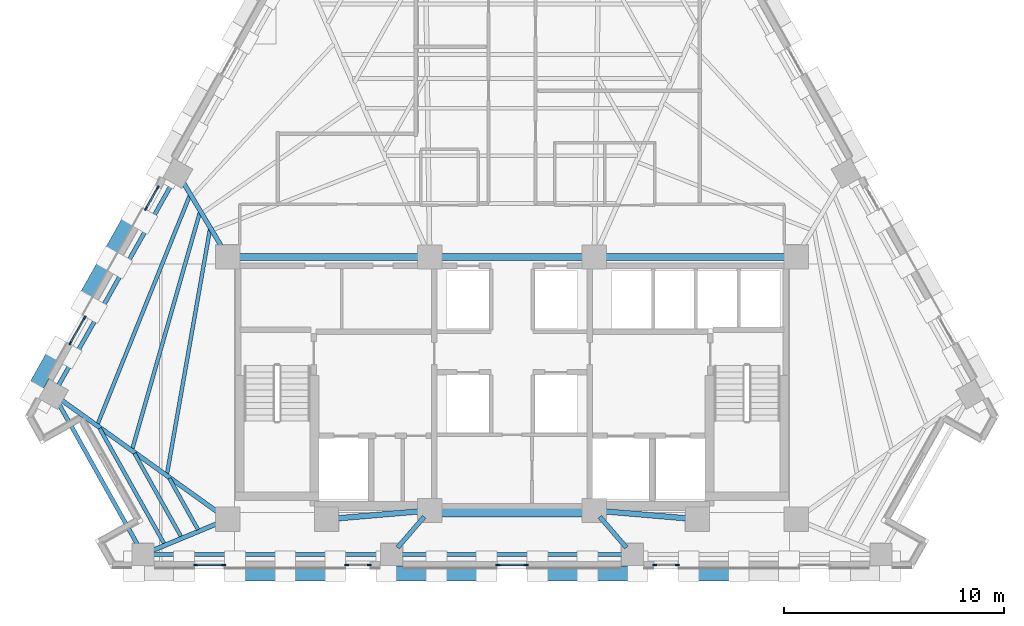
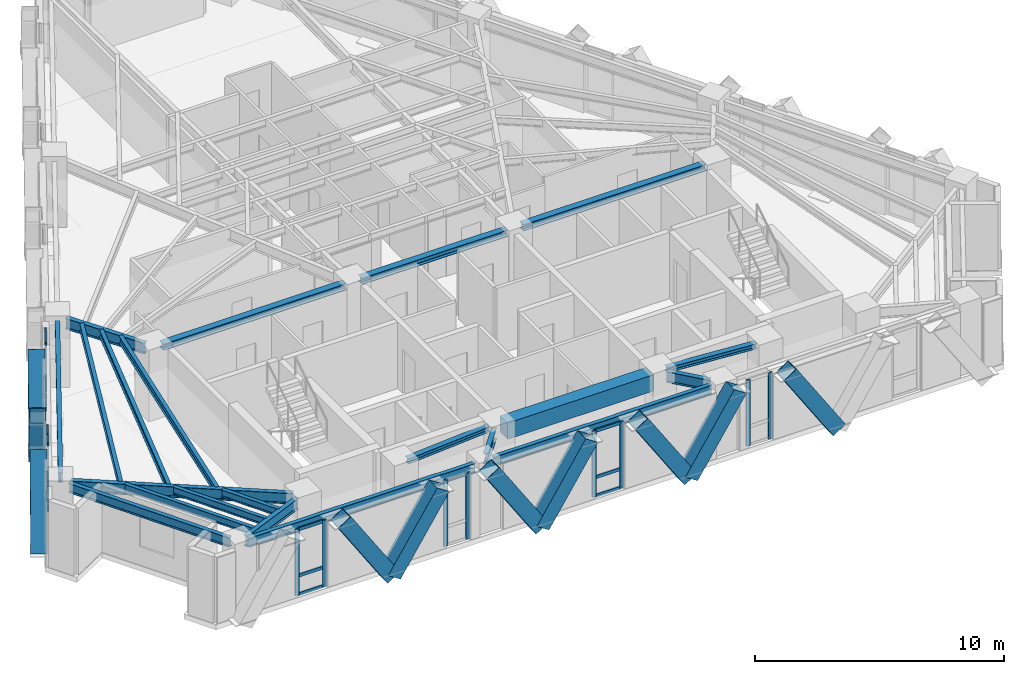
# One storey, part 2 of 13: 34 members, 21 beams, 6 elements without a shape of their own.
"""IFC4 building model written with IfcOpenShell, lengths in metres."""

import ifcopenshell
import ifcopenshell.guid

model = None  # the IFC model being written
_history = None  # IfcOwnerHistory: only IFC2X3 demands one
_inside = {}  # id of a spatial element -> (the spatial element, [elements in it])
_under = {}  # id of a project, library or spatial element -> (it, [spatial elements below it])
_declared = {}  # id of a project -> (the project, [libraries it declares])
_typed = {}  # id of a type object -> (the type object, [elements of that type])
_made_of = {}  # id of a material, layer set ... -> (it, [elements and type objects made of it])


def new_model(schema):
    """Start an empty IFC model of exactly this schema.

    Asked for "IFC4X3", IfcOpenShell would pick the latest addendum, in which some entities
    have other attributes; the version numbers below select the first issue.
    IFC2X3 requires an IfcOwnerHistory on every rooted entity: one is made here for all.
    """
    global model, _history
    if schema == "IFC4X3":
        model = ifcopenshell.file(schema_version=(4, 3, 0, 0))
    else:
        model = ifcopenshell.file(schema=schema)
    _inside.clear()
    _under.clear()
    _declared.clear()
    _typed.clear()
    _made_of.clear()
    _history = None
    if model.schema == "IFC2X3":
        org = make("IfcOrganization", Name="unknown")
        user = make(
            "IfcPersonAndOrganization",
            ThePerson=make("IfcPerson", FamilyName="unknown"),
            TheOrganization=org,
        )
        app = make(
            "IfcApplication",
            ApplicationDeveloper=org,
            Version="unknown",
            ApplicationFullName="unknown",
            ApplicationIdentifier="unknown",
        )
        _history = make(
            "IfcOwnerHistory",
            OwningUser=user,
            OwningApplication=app,
            ChangeAction="ADDED",
            CreationDate=0,
        )
    return model


def make(cls, **values):
    """One entity of the class cls with the attributes given. An attribute that is None is left unset."""
    return model.create_entity(
        cls, **{name: value for name, value in values.items() if value is not None}
    )


def rooted(cls, **values):
    """An entity with a GlobalId (a new one), such as an element, a storey or a relation."""
    return make(cls, GlobalId=ifcopenshell.guid.new(), OwnerHistory=_history, **values)


def si_unit(unit_type, name, prefix=None):
    """IfcSIUnit, for example si_unit("LENGTHUNIT", "METRE", prefix="MILLI")."""
    return make("IfcSIUnit", UnitType=unit_type, Prefix=prefix, Name=name)


def assignment(units):
    """IfcUnitAssignment: the units of a project."""
    return None if units is None else make("IfcUnitAssignment", Units=units)


def point(xyz):
    """IfcCartesianPoint."""
    return None if xyz is None else make("IfcCartesianPoint", Coordinates=xyz)


def direction(xyz):
    """IfcDirection."""
    return None if xyz is None else make("IfcDirection", DirectionRatios=xyz)


def frame(location, z_axis=None, x_axis=None):
    """IfcAxis2Placement3D, a coordinate frame: its origin and axes. An axis left out is left unset."""
    return make(
        "IfcAxis2Placement3D",
        Location=point(location),
        Axis=direction(z_axis),
        RefDirection=direction(x_axis),
    )


def frame_2d(location, x_axis=None):
    """IfcAxis2Placement2D, a coordinate frame in the plane: its origin and x axis."""
    return make(
        "IfcAxis2Placement2D", Location=point(location), RefDirection=direction(x_axis)
    )


def origin():
    """The frame at (0, 0, 0) with its axes left unset."""
    return frame((0.0, 0.0, 0.0))


def origin_2d():
    """The frame at (0, 0) in the plane with its x axis left unset."""
    return frame_2d((0.0, 0.0))


def place(relative_to, where):
    """IfcLocalPlacement: puts the frame where relative to a parent placement (None: the world)."""
    return make(
        "IfcLocalPlacement", PlacementRelTo=relative_to, RelativePlacement=where
    )


def context(
    kind, dimensions, precision=None, world=None, true_north=None, identifier=None
):
    """IfcGeometricRepresentationContext, for example the 3D "Model" context."""
    return make(
        "IfcGeometricRepresentationContext",
        ContextIdentifier=identifier,
        ContextType=kind,
        CoordinateSpaceDimension=dimensions,
        Precision=precision,
        WorldCoordinateSystem=world,
        TrueNorth=true_north,
    )


def subcontext(parent, identifier, kind, view, scale=None):
    """IfcGeometricRepresentationSubContext, for example "Body" below "Model"."""
    return make(
        "IfcGeometricRepresentationSubContext",
        ContextIdentifier=identifier,
        ContextType=kind,
        ParentContext=parent,
        TargetScale=scale,
        TargetView=view,
    )


def project(units=None, contexts=None):
    """IfcProject with its units and contexts."""
    return rooted(
        "IfcProject",
        Name="project",
        RepresentationContexts=contexts,
        UnitsInContext=assignment(units),
    )


def spatial(cls, under=None, at=None, **own):
    """A site, building, storey or space (cls), placed at a placement, below another one or the project."""
    s = rooted(cls, ObjectPlacement=at, **own)
    if under is not None:
        _under.setdefault(under.id(), (under, []))[1].append(s)
    return s


def profile(cls, at=None, kind="AREA", **sizes):
    """A parametric profile (cls). Its sizes go by their IFC names, for example OverallWidth=200.0."""
    return make(cls, ProfileType=kind, Position=at, **sizes)


def rectangle(**sizes):
    """IfcRectangleProfileDef."""
    return profile("IfcRectangleProfileDef", **sizes)


def hollow_rectangle(**sizes):
    """IfcRectangleHollowProfileDef."""
    return profile("IfcRectangleHollowProfileDef", **sizes)


def i_section(**sizes):
    """IfcIShapeProfileDef."""
    return profile("IfcIShapeProfileDef", **sizes)


def extrude(swept, where, along, depth):
    """IfcExtrudedAreaSolid: the profile swept, set in the frame where, extruded along a direction by depth."""
    return make(
        "IfcExtrudedAreaSolid",
        SweptArea=swept,
        Position=where,
        ExtrudedDirection=direction(along),
        Depth=depth,
    )


def shape(context_of_items, identifier, shape_type, items):
    """IfcShapeRepresentation: the items that make up one representation, for example the "Body"."""
    return make(
        "IfcShapeRepresentation",
        ContextOfItems=context_of_items,
        RepresentationIdentifier=identifier,
        RepresentationType=shape_type,
        Items=items,
    )


def material(Name=None, Category=None):
    """IfcMaterial."""
    return make("IfcMaterial", Name=Name, Category=Category)


def material_profile(
    of_material, cross_section, Name=None, Category=None, Priority=None
):
    """IfcMaterialProfile: a cross section and its material."""
    return make(
        "IfcMaterialProfile",
        Name=Name,
        Material=of_material,
        Profile=cross_section,
        Priority=Priority,
        Category=Category,
    )


def profile_set(profiles, Name=None, composite=None):
    """IfcMaterialProfileSet."""
    return make(
        "IfcMaterialProfileSet",
        Name=Name,
        MaterialProfiles=profiles,
        CompositeProfile=composite,
    )


def made_of(thing, what):
    """Note that an element or type object is made of a material, layer set ...; save() writes the relation."""
    if what is not None:
        _made_of.setdefault(what.id(), (what, []))[1].append(thing)
    return thing


def type_object(cls, material=None, **own):
    """A type object (cls), such as IfcWallType, which elements share."""
    return made_of(rooted(cls, **own), material)


def element(
    cls,
    number,
    at=None,
    inside=None,
    cuts=None,
    type_object=None,
    material=None,
    context=None,
    identifier="Body",
    shape_type=None,
    held_by="IfcProductDefinitionShape",
    body=None,
    shapes=None,
    **own,
):
    """One element of the class cls, such as IfcWall. Its Tag is "e" and its number.

    at: its placement. inside: the storey or other place that contains it. cuts: it is an
    opening in that element (IfcRelVoidsElement). A single representation is given by context,
    identifier, shape_type and body (its items); several are given by shapes. held_by: the class
    of the entity that holds the representations. save() writes the other relations.
    """
    e = rooted(cls, Tag="e%d" % number, ObjectPlacement=at, **own)
    if body is not None:
        shapes = [shape(context, identifier, shape_type, body)]
    if shapes is not None:
        e.Representation = make(held_by, Representations=shapes)
    if inside is not None:
        _inside.setdefault(inside.id(), (inside, []))[1].append(e)
    if cuts is not None:
        rooted(
            "IfcRelVoidsElement", RelatingBuildingElement=cuts, RelatedOpeningElement=e
        )
    if type_object is not None:
        _typed.setdefault(type_object.id(), (type_object, []))[1].append(e)
    return made_of(e, material)


def aggregate(whole, parts):
    """IfcRelAggregates: a whole, such as a stair, and the parts it consists of."""
    return rooted("IfcRelAggregates", RelatingObject=whole, RelatedObjects=parts)


def save(model, path):
    """Write the relations noted so far, then the file.

    IfcRelAggregates (storeys below a building ...), IfcRelContainedInSpatialStructure (elements
    in a storey), IfcRelDefinesByType, IfcRelAssociatesMaterial and IfcRelDeclares: one each for
    every whole, place, type object, material and project.
    """
    for whole, parts in _under.values():
        aggregate(whole, parts)
    for where, things in _inside.values():
        rooted(
            "IfcRelContainedInSpatialStructure",
            RelatedElements=things,
            RelatingStructure=where,
        )
    for kind, things in _typed.values():
        rooted("IfcRelDefinesByType", RelatedObjects=things, RelatingType=kind)
    for what, things in _made_of.values():
        rooted("IfcRelAssociatesMaterial", RelatedObjects=things, RelatingMaterial=what)
    for by, libraries in _declared.values():
        rooted("IfcRelDeclares", RelatingContext=by, RelatedDefinitions=libraries)
    model.write(path)


model = new_model("IFC4")

# Units and contexts
model_context = context("Model", 3, precision=1e-05, world=origin(), true_north=direction((0.0, 1.0)))
body_context = subcontext(model_context, "Body", "Model", "MODEL_VIEW")
ifc_project = project(units=[si_unit("LENGTHUNIT", "METRE"), si_unit("AREAUNIT", "SQUARE_METRE"), si_unit("VOLUMEUNIT", "CUBIC_METRE"), si_unit("PLANEANGLEUNIT", "RADIAN"), si_unit("MASSUNIT", "GRAM", prefix="KILO")], contexts=[model_context])

# Site, building, storey
site_placement = place(None, origin())
site = spatial("IfcSite", under=ifc_project, at=site_placement, CompositionType="ELEMENT")
building_placement = place(site_placement, origin())
building = spatial("IfcBuilding", under=site, at=building_placement, Name="Quenlor Broadcast Tower", CompositionType="ELEMENT")
storey_placement = place(building_placement, frame((0.0, 0.0, 151.0)))
storey = spatial("IfcBuildingStorey", under=building, at=storey_placement, Name="L41", CompositionType="ELEMENT", Elevation=151.0)

# Curtain wall, members
ifc_material_1 = material(Name="Architectural Terracotta and Low-E Glazing", Category="masonry")
curtain_wall_type = type_object("IfcCurtainWallType", Name="Unitised Terracotta Curtain Wall System Z3", PredefinedType="NOTDEFINED", material=ifc_material_1)
curtain_wall_1_placement = place(storey_placement, origin())
curtain_wall_1 = element("IfcCurtainWall", 1, at=curtain_wall_1_placement, inside=storey, type_object=curtain_wall_type, Name="L41 Curtain Wall CW3 (L41-SA-G2)", PredefinedType="NOTDEFINED")
ifc_material_2 = material(Name="Aluminium 6063-T6", Category="aluminium")
ifc_material_profile_1 = material_profile(ifc_material_2, rectangle(XDim=0.070068359375, YDim=0.18994140625, at=origin_2d()))
ifc_profile_set_1 = profile_set([ifc_material_profile_1], Name="Aluminium 6063-T6 MULL70x190")
member_type_1 = type_object("IfcMemberType", Name="CW3 Aluminium Mullion MULL_CW3", PredefinedType="MULLION", material=ifc_profile_set_1)
member_1_placement = place(storey_placement, frame((7.52197265625, -18.824951171875, 0.0), z_axis=(0.0, 0.0, 1.0), x_axis=(0.0, -1.0, 0.0)))
member_1 = element("IfcMember", 2, at=member_1_placement, type_object=member_type_1, Name="CW3 mullion 1", PredefinedType="MULLION", context=body_context, shape_type="SweptSolid", body=[
    extrude(rectangle(XDim=0.070068359375, YDim=0.18994140625, at=origin_2d()), origin(), (0.0, 0.0, 1.0), 3.25),
])
member_2_placement = place(storey_placement, frame((6.5009765625, -18.824951171875, 0.0), z_axis=(0.0, 0.0, 1.0), x_axis=(0.0, -1.0, 0.0)))
member_2 = element("IfcMember", 3, at=member_2_placement, type_object=member_type_1, Name="CW3 mullion 2", PredefinedType="MULLION", context=body_context, shape_type="SweptSolid", body=[
    extrude(rectangle(XDim=0.070068359375, YDim=0.18994140625, at=origin_2d()), origin(), (0.0, 0.0, 1.0), 3.25),
])
aggregate(curtain_wall_1, [member_1, member_2])

curtain_wall_2_placement = place(storey_placement, origin())
curtain_wall_2 = element("IfcCurtainWall", 4, at=curtain_wall_2_placement, inside=storey, type_object=curtain_wall_type, Name="L41 Curtain Wall CW3 (L41-SC-G1)", PredefinedType="NOTDEFINED")
member_3_placement = place(storey_placement, frame((-6.5009765625, -18.824951171875, 0.0), z_axis=(0.0, 0.0, 1.0), x_axis=(0.0, -1.0, 0.0)))
member_3 = element("IfcMember", 5, at=member_3_placement, type_object=member_type_1, Name="CW3 mullion 1", PredefinedType="MULLION", context=body_context, shape_type="SweptSolid", body=[
    extrude(rectangle(XDim=0.070068359375, YDim=0.18994140625, at=origin_2d()), origin(), (0.0, 0.0, 1.0), 3.25),
])
member_4_placement = place(storey_placement, frame((-7.52197265625, -18.824951171875, 0.0), z_axis=(0.0, 0.0, 1.0), x_axis=(0.0, -1.0, 0.0)))
member_4 = element("IfcMember", 6, at=member_4_placement, type_object=member_type_1, Name="CW3 mullion 2", PredefinedType="MULLION", context=body_context, shape_type="SweptSolid", body=[
    extrude(rectangle(XDim=0.070068359375, YDim=0.18994140625, at=origin_2d()), origin(), (0.0, 0.0, 1.0), 3.25),
])
aggregate(curtain_wall_2, [member_3, member_4])

curtain_wall_3_placement = place(storey_placement, origin())
curtain_wall_3 = element("IfcCurtainWall", 7, at=curtain_wall_3_placement, inside=storey, type_object=curtain_wall_type, Name="L41 Curtain Wall CW3 (L41-SC-G2)", PredefinedType="NOTDEFINED")
member_5_placement = place(storey_placement, frame((-13.14208984375, -18.824951171875, 0.0), z_axis=(0.0, 0.0, 1.0), x_axis=(0.0, -1.0, 0.0)))
member_5 = element("IfcMember", 8, at=member_5_placement, type_object=member_type_1, Name="CW3 mullion 1", PredefinedType="MULLION", context=body_context, shape_type="SweptSolid", body=[
    extrude(rectangle(XDim=0.070068359375, YDim=0.18994140625, at=origin_2d()), origin(), (0.0, 0.0, 1.0), 3.25),
])
member_6_placement = place(storey_placement, frame((-14.409912109375, -18.824951171875, 0.0), z_axis=(0.0, 0.0, 1.0), x_axis=(0.0, -1.0, 0.0)))
member_6 = element("IfcMember", 9, at=member_6_placement, type_object=member_type_1, Name="CW3 mullion 2", PredefinedType="MULLION", context=body_context, shape_type="SweptSolid", body=[
    extrude(rectangle(XDim=0.070068359375, YDim=0.18994140625, at=origin_2d()), origin(), (0.0, 0.0, 1.0), 3.25),
])

curtain_wall_4_placement = place(storey_placement, origin())
curtain_wall_4 = element("IfcCurtainWall", 10, at=curtain_wall_4_placement, inside=storey, type_object=curtain_wall_type, Name="L41 Curtain Wall CW3 (L41-S-G1)", PredefinedType="NOTDEFINED")
member_7_placement = place(storey_placement, frame((0.634033203125, -18.824951171875, 0.0), z_axis=(0.0, 0.0, 1.0), x_axis=(0.0, -1.0, 0.0)))
member_7 = element("IfcMember", 11, at=member_7_placement, type_object=member_type_1, Name="CW3 mullion 1", PredefinedType="MULLION", context=body_context, shape_type="SweptSolid", body=[
    extrude(rectangle(XDim=0.070068359375, YDim=0.18994140625, at=origin_2d()), origin(), (0.0, 0.0, 1.0), 3.25),
])
member_8_placement = place(storey_placement, frame((-0.634033203125, -18.824951171875, 0.0), z_axis=(0.0, 0.0, 1.0), x_axis=(0.0, -1.0, 0.0)))
member_8 = element("IfcMember", 12, at=member_8_placement, type_object=member_type_1, Name="CW3 mullion 2", PredefinedType="MULLION", context=body_context, shape_type="SweptSolid", body=[
    extrude(rectangle(XDim=0.070068359375, YDim=0.18994140625, at=origin_2d()), origin(), (0.0, 0.0, 1.0), 3.25),
])

curtain_wall_5_placement = place(storey_placement, origin())
curtain_wall_5 = element("IfcCurtainWall", 13, at=curtain_wall_5_placement, inside=storey, type_object=curtain_wall_type, Name="L41 Curtain Wall CW3 (L41-NWA-G1)", PredefinedType="NOTDEFINED")
member_9_placement = place(storey_placement, frame((-20.1171875, -8.720703125, 0.0), z_axis=(0.0, 0.0, 1.0), x_axis=(-0.871575537123, 0.490261239636, 0.0)))
member_9 = element("IfcMember", 14, at=member_9_placement, type_object=member_type_1, Name="CW3 mullion 1", PredefinedType="MULLION", context=body_context, shape_type="SweptSolid", body=[
    extrude(rectangle(XDim=0.070068359375, YDim=0.18994140625, at=origin_2d()), origin(), (0.0, 0.0, 1.0), 3.25),
])
member_10_placement = place(storey_placement, frame((-19.47021484375, -7.570556640625, 0.0), z_axis=(0.0, 0.0, 1.0), x_axis=(-0.871575537123, 0.490261239636, 0.0)))
member_10 = element("IfcMember", 15, at=member_10_placement, type_object=member_type_1, Name="CW3 mullion 2", PredefinedType="MULLION", context=body_context, shape_type="SweptSolid", body=[
    extrude(rectangle(XDim=0.070068359375, YDim=0.18994140625, at=origin_2d()), origin(), (0.0, 0.0, 1.0), 3.25),
])

curtain_wall_6_placement = place(storey_placement, origin())
curtain_wall_6 = element("IfcCurtainWall", 16, at=curtain_wall_6_placement, inside=storey, type_object=curtain_wall_type, Name="L41 Curtain Wall CW3 (L41-NWA-G2)", PredefinedType="NOTDEFINED")
member_11_placement = place(storey_placement, frame((-16.6689453125, -2.5908203125, 0.0), z_axis=(0.0, 0.0, 1.0), x_axis=(-0.871580169247, 0.490253004657, 0.0)))
member_11 = element("IfcMember", 17, at=member_11_placement, type_object=member_type_1, Name="CW3 mullion 1", PredefinedType="MULLION", context=body_context, shape_type="SweptSolid", body=[
    extrude(rectangle(XDim=0.070068359375, YDim=0.18994140625, at=origin_2d()), origin(), (0.0, 0.0, 1.0), 3.25),
])
member_12_placement = place(storey_placement, frame((-16.137939453125, -1.646728515625, 0.0), z_axis=(0.0, 0.0, 1.0), x_axis=(-0.871580169247, 0.490253004657, 0.0)))
member_12 = element("IfcMember", 18, at=member_12_placement, type_object=member_type_1, Name="CW3 mullion 2", PredefinedType="MULLION", context=body_context, shape_type="SweptSolid", body=[
    extrude(rectangle(XDim=0.070068359375, YDim=0.18994140625, at=origin_2d()), origin(), (0.0, 0.0, 1.0), 3.25),
])

# Member
ifc_material_3 = material(Name="Aluminium 6063-T6", Category="aluminium")
ifc_material_profile_2 = material_profile(ifc_material_3, rectangle(XDim=0.070068359375, YDim=0.155029296875, at=origin_2d()))
ifc_profile_set_2 = profile_set([ifc_material_profile_2], Name="Aluminium 6063-T6 TRAN70x155")
member_type_2 = type_object("IfcMemberType", Name="CW3 Aluminium Transom TRAN_CW3", PredefinedType="USERDEFINED", material=ifc_profile_set_2)
member_13_placement = place(storey_placement, frame((-13.177001953125, -18.824951171875, 0.034912109375), z_axis=(-1.0, 0.0, 0.0), x_axis=(0.0, -1.0, 0.0)))
member_13 = element("IfcMember", 19, at=member_13_placement, type_object=member_type_2, Name="CW3 transom 1.1", ObjectType="TRANSOM", PredefinedType="USERDEFINED", context=body_context, shape_type="SweptSolid", body=[
    extrude(rectangle(XDim=0.070068359375, YDim=0.155029296875, at=origin_2d()), origin(), (0.0, 0.0, 1.0), 1.197998046875),
])

member_14_placement = place(storey_placement, frame((-13.177001953125, -18.824951171875, 0.949951171875), z_axis=(-1.0, 0.0, 0.0), x_axis=(0.0, -1.0, 0.0)))
member_14 = element("IfcMember", 20, at=member_14_placement, type_object=member_type_2, Name="CW3 transom 1.2", ObjectType="TRANSOM", PredefinedType="USERDEFINED", context=body_context, shape_type="SweptSolid", body=[
    extrude(rectangle(XDim=0.070068359375, YDim=0.155029296875, at=origin_2d()), origin(), (0.0, 0.0, 1.0), 1.197998046875),
])

member_15_placement = place(storey_placement, frame((-13.177001953125, -18.824951171875, 3.215087890625), z_axis=(-1.0, 0.0, 0.0), x_axis=(0.0, -1.0, 0.0)))
member_15 = element("IfcMember", 21, at=member_15_placement, type_object=member_type_2, Name="CW3 transom 1.3", ObjectType="TRANSOM", PredefinedType="USERDEFINED", context=body_context, shape_type="SweptSolid", body=[
    extrude(rectangle(XDim=0.070068359375, YDim=0.155029296875, at=origin_2d()), origin(), (0.0, 0.0, 1.0), 1.197998046875),
])

aggregate(curtain_wall_3, [member_5, member_6, member_13, member_14, member_15])

member_16_placement = place(storey_placement, frame((0.59912109375, -18.824951171875, 0.034912109375), z_axis=(-1.0, 0.0, 0.0), x_axis=(0.0, -1.0, 0.0)))
member_16 = element("IfcMember", 22, at=member_16_placement, type_object=member_type_2, Name="CW3 transom 1.1", ObjectType="TRANSOM", PredefinedType="USERDEFINED", context=body_context, shape_type="SweptSolid", body=[
    extrude(rectangle(XDim=0.070068359375, YDim=0.155029296875, at=origin_2d()), origin(), (0.0, 0.0, 1.0), 1.1982421875),
])

member_17_placement = place(storey_placement, frame((0.59912109375, -18.824951171875, 0.949951171875), z_axis=(-1.0, 0.0, 0.0), x_axis=(0.0, -1.0, 0.0)))
member_17 = element("IfcMember", 23, at=member_17_placement, type_object=member_type_2, Name="CW3 transom 1.2", ObjectType="TRANSOM", PredefinedType="USERDEFINED", context=body_context, shape_type="SweptSolid", body=[
    extrude(rectangle(XDim=0.070068359375, YDim=0.155029296875, at=origin_2d()), origin(), (0.0, 0.0, 1.0), 1.1982421875),
])

member_18_placement = place(storey_placement, frame((0.59912109375, -18.824951171875, 3.215087890625), z_axis=(-1.0, 0.0, 0.0), x_axis=(0.0, -1.0, 0.0)))
member_18 = element("IfcMember", 24, at=member_18_placement, type_object=member_type_2, Name="CW3 transom 1.3", ObjectType="TRANSOM", PredefinedType="USERDEFINED", context=body_context, shape_type="SweptSolid", body=[
    extrude(rectangle(XDim=0.070068359375, YDim=0.155029296875, at=origin_2d()), origin(), (0.0, 0.0, 1.0), 1.1982421875),
])

aggregate(curtain_wall_4, [member_7, member_8, member_16, member_17, member_18])

member_19_placement = place(storey_placement, frame((-20.10009765625, -8.690185546875, 0.034912109375), z_axis=(0.490363266059, 0.871518139398, 0.0), x_axis=(-0.871518139398, 0.490363266059, 0.0)))
member_19 = element("IfcMember", 25, at=member_19_placement, type_object=member_type_2, Name="CW3 transom 1.1", ObjectType="TRANSOM", PredefinedType="USERDEFINED", context=body_context, shape_type="SweptSolid", body=[
    extrude(rectangle(XDim=0.070068359375, YDim=0.155029296875, at=origin_2d()), origin(), (0.0, 0.0, 1.0), 1.249755859375),
])

member_20_placement = place(storey_placement, frame((-20.10009765625, -8.690185546875, 0.949951171875), z_axis=(0.490363266059, 0.871518139398, 0.0), x_axis=(-0.871518139398, 0.490363266059, 0.0)))
member_20 = element("IfcMember", 26, at=member_20_placement, type_object=member_type_2, Name="CW3 transom 1.2", ObjectType="TRANSOM", PredefinedType="USERDEFINED", context=body_context, shape_type="SweptSolid", body=[
    extrude(rectangle(XDim=0.070068359375, YDim=0.155029296875, at=origin_2d()), origin(), (0.0, 0.0, 1.0), 1.249755859375),
])

member_21_placement = place(storey_placement, frame((-20.10009765625, -8.690185546875, 3.215087890625), z_axis=(0.490363266059, 0.871518139398, 0.0), x_axis=(-0.871518139398, 0.490363266059, 0.0)))
member_21 = element("IfcMember", 27, at=member_21_placement, type_object=member_type_2, Name="CW3 transom 1.3", ObjectType="TRANSOM", PredefinedType="USERDEFINED", context=body_context, shape_type="SweptSolid", body=[
    extrude(rectangle(XDim=0.070068359375, YDim=0.155029296875, at=origin_2d()), origin(), (0.0, 0.0, 1.0), 1.249755859375),
])

aggregate(curtain_wall_5, [member_9, member_10, member_19, member_20, member_21])

member_22_placement = place(storey_placement, frame((-16.65185546875, -2.560302734375, 0.034912109375), z_axis=(0.49015826449, 0.871633452635, 0.0), x_axis=(-0.871633452635, 0.49015826449, 0.0)))
member_22 = element("IfcMember", 28, at=member_22_placement, type_object=member_type_2, Name="CW3 transom 1.1", ObjectType="TRANSOM", PredefinedType="USERDEFINED", context=body_context, shape_type="SweptSolid", body=[
    extrude(rectangle(XDim=0.070068359375, YDim=0.155029296875, at=origin_2d()), origin(), (0.0, 0.0, 1.0), 1.01318359375),
])

member_23_placement = place(storey_placement, frame((-16.65185546875, -2.560302734375, 0.949951171875), z_axis=(0.49015826449, 0.871633452635, 0.0), x_axis=(-0.871633452635, 0.49015826449, 0.0)))
member_23 = element("IfcMember", 29, at=member_23_placement, type_object=member_type_2, Name="CW3 transom 1.2", ObjectType="TRANSOM", PredefinedType="USERDEFINED", context=body_context, shape_type="SweptSolid", body=[
    extrude(rectangle(XDim=0.070068359375, YDim=0.155029296875, at=origin_2d()), origin(), (0.0, 0.0, 1.0), 1.01318359375),
])

member_24_placement = place(storey_placement, frame((-16.65185546875, -2.560302734375, 3.215087890625), z_axis=(0.49015826449, 0.871633452635, 0.0), x_axis=(-0.871633452635, 0.49015826449, 0.0)))
member_24 = element("IfcMember", 30, at=member_24_placement, type_object=member_type_2, Name="CW3 transom 1.3", ObjectType="TRANSOM", PredefinedType="USERDEFINED", context=body_context, shape_type="SweptSolid", body=[
    extrude(rectangle(XDim=0.070068359375, YDim=0.155029296875, at=origin_2d()), origin(), (0.0, 0.0, 1.0), 1.01318359375),
])

aggregate(curtain_wall_6, [member_11, member_12, member_22, member_23, member_24])

# Beams
ifc_material_4 = material(Name="Concrete C50/60", Category="concrete")
ifc_material_profile_3 = material_profile(ifc_material_4, rectangle(XDim=0.60009765625, YDim=0.800048828125, at=origin_2d()))
ifc_profile_set_3 = profile_set([ifc_material_profile_3], Name="Concrete C50/60 RCB600x800")
beam_type_1 = type_object("IfcBeamType", Name="Core Coupling Beam Concrete C50/60 600x800", PredefinedType="BEAM", material=ifc_profile_set_3)
beam_1_placement = place(storey_placement, frame((-3.389892578125, -16.35009765625, 2.85009765625), z_axis=(1.0, 0.0, 0.0), x_axis=(0.0, 1.0, 0.0)))
element("IfcBeam", 31, at=beam_1_placement, inside=storey, type_object=beam_type_1, Name="L41 Core Coupling Beam 6", PredefinedType="BEAM", context=body_context, shape_type="SweptSolid", body=[
    extrude(rectangle(XDim=0.60009765625, YDim=0.800048828125, at=origin_2d()), origin(), (0.0, 0.0, 1.0), 6.77978515625),
])
ifc_material_5 = material(Name="Steel S355", Category="steel")
ifc_material_profile_4 = material_profile(ifc_material_5, i_section(OverallWidth=0.304931640625, OverallDepth=0.30810546875, WebThickness=0.010009765625, FlangeThickness=0.015380859375, FilletRadius=0.0166015625, at=origin_2d()))
ifc_profile_set_4 = profile_set([ifc_material_profile_4], Name="Steel S355 310UC96.8")
beam_type_2 = type_object("IfcBeamType", Name="Core Header Beam Steel S355 310UC96.8", PredefinedType="BEAM", material=ifc_profile_set_4)
beam_2_placement = place(storey_placement, frame((-3.389892578125, -4.800048828125, 3.095947265625), z_axis=(1.0, 0.0, 0.0), x_axis=(0.0, 1.0, 0.0)))
element("IfcBeam", 32, at=beam_2_placement, inside=storey, type_object=beam_type_2, Name="L41 Core Header Beam 2", PredefinedType="BEAM", context=body_context, shape_type="SweptSolid", body=[
    extrude(i_section(OverallWidth=0.304931640625, OverallDepth=0.30810546875, WebThickness=0.010009765625, FlangeThickness=0.015380859375, FilletRadius=0.0166015625, at=origin_2d()), origin(), (0.0, 0.0, 1.0), 6.77978515625),
])
ifc_material_6 = material(Name="Steel S355", Category="steel")
ifc_material_profile_5 = material_profile(ifc_material_6, i_section(OverallWidth=0.25390625, OverallDepth=0.25390625, WebThickness=0.008544921875, FlangeThickness=0.01416015625, FilletRadius=0.013916015625, at=origin_2d()))
ifc_profile_set_5 = profile_set([ifc_material_profile_5], Name="Steel S355 250UC72.9")
beam_type_3 = type_object("IfcBeamType", Name="Core Opening Lintel Beam Steel S355 250UC72.9", PredefinedType="LINTEL", material=ifc_profile_set_5)
for number, where, z_axis, x_axis, name in (
    (33, (-8.09130859375, -16.719482421875, 3.123046875), (0.996399763903, 0.084779186679, 0.0), (-0.084779186679, 0.996399763903, 0.0), "L41 Core Opening Lintel Beam 4"),
    (34, (4.108642578125, -16.380615234375, 3.123046875), (0.996399763903, -0.084779186679, 0.0), (0.084779186679, 0.996399763903, 0.0), "L41 Core Opening Lintel Beam 5"),
):
    element("IfcBeam", number, at=place(storey_placement, frame(where, z_axis=z_axis, x_axis=x_axis)), inside=storey, type_object=beam_type_3, Name=name, PredefinedType="LINTEL", context=body_context, shape_type="SweptSolid", body=[
        extrude(i_section(OverallWidth=0.25390625, OverallDepth=0.25390625, WebThickness=0.008544921875, FlangeThickness=0.01416015625, FilletRadius=0.013916015625, at=origin_2d()), origin(), (0.0, 0.0, 1.0), 3.9970703125),
    ])
ifc_material_7 = material(Name="Steel S355", Category="steel")
ifc_material_profile_6 = material_profile(ifc_material_7, i_section(OverallWidth=0.306884765625, OverallDepth=0.314697265625, WebThickness=0.011962890625, FlangeThickness=0.018798828125, FilletRadius=0.0166015625, at=origin_2d()))
ifc_profile_set_6 = profile_set([ifc_material_profile_6], Name="Steel S355 310UC118")
beam_type_4 = type_object("IfcBeamType", Name="Core Tie Beam Steel S355 310UC118", PredefinedType="BEAM", material=ifc_profile_set_6)
for number, where, z_axis, x_axis, name in (
    (35, (-12.590087890625, -4.800048828125, 3.0927734375), (1.0, 0.0, 0.0), (0.0, 1.0, 0.0), "L41 Core Tie Beam 1"),
    (36, (4.110107421875, -4.800048828125, 3.0927734375), (1.0, 0.0, 0.0), (0.0, 1.0, 0.0), "L41 Core Tie Beam 3"),
):
    element("IfcBeam", number, at=place(storey_placement, frame(where, z_axis=z_axis, x_axis=x_axis)), inside=storey, type_object=beam_type_4, Name=name, PredefinedType="BEAM", context=body_context, shape_type="SweptSolid", body=[
        extrude(i_section(OverallWidth=0.306884765625, OverallDepth=0.314697265625, WebThickness=0.011962890625, FlangeThickness=0.018798828125, FilletRadius=0.0166015625, at=origin_2d()), origin(), (0.0, 0.0, 1.0), 8.47998046875),
    ])

# Members
ifc_material_8 = material(Name="Steel S355", Category="steel")
ifc_material_profile_7 = material_profile(ifc_material_8, hollow_rectangle(XDim=0.679931640625, YDim=0.679931640625, WallThickness=0.02490234375, at=origin_2d()))
ifc_profile_set_7 = profile_set([ifc_material_profile_7], Name="Steel S355 RHS680x680x25")
member_type_3 = type_object("IfcMemberType", Name="Perimeter Diagonal Lattice Brace Z3-Z4 Steel S355 RHS680x25", PredefinedType="BRACE", material=ifc_profile_set_7)
member_25_placement = place(storey_placement, frame((10.318115234375, -19.219970703125, -0.1201171875), z_axis=(-0.543860340502, 0.0, 0.839175744424), x_axis=(0.0, -1.0, 0.0)))
element("IfcMember", 37, at=member_25_placement, inside=storey, type_object=member_type_3, Name="L41 Perimeter Diamond Lattice S-C2S", PredefinedType="BRACE", context=body_context, shape_type="SweptSolid", body=[
    extrude(hollow_rectangle(XDim=0.679931640625, YDim=0.679931640625, WallThickness=0.02490234375, at=origin_2d()), origin(), (0.0, 0.0, 1.0), 4.170654296875),
])
member_26_placement = place(storey_placement, frame((3.457763671875, -19.219970703125, -0.1201171875), z_axis=(0.543901560697, 0.0, 0.839149028643), x_axis=(0.0, 1.0, 0.0)))
element("IfcMember", 38, at=member_26_placement, inside=storey, type_object=member_type_3, Name="L41 Perimeter Diamond Lattice S-C2B", PredefinedType="BRACE", context=body_context, shape_type="SweptSolid", body=[
    extrude(hollow_rectangle(XDim=0.679931640625, YDim=0.679931640625, WallThickness=0.02490234375, at=origin_2d()), origin(), (0.0, 0.0, 1.0), 4.1708984375),
])
for number, where, z_axis, x_axis, name in (
    (39, (3.43017578125, -19.219970703125, -0.1201171875), (-0.543860340502, 0.0, 0.839175744424), (0.0, -1.0, 0.0), "L41 Perimeter Diamond Lattice S-C3S"),
    (40, (-3.43017578125, -19.219970703125, -0.1201171875), (0.543860340502, 0.0, 0.839175744424), (0.0, 1.0, 0.0), "L41 Perimeter Diamond Lattice S-C3B"),
):
    element("IfcMember", number, at=place(storey_placement, frame(where, z_axis=z_axis, x_axis=x_axis)), inside=storey, type_object=member_type_3, Name=name, PredefinedType="BRACE", context=body_context, shape_type="SweptSolid", body=[
        extrude(hollow_rectangle(XDim=0.679931640625, YDim=0.679931640625, WallThickness=0.02490234375, at=origin_2d()), origin(), (0.0, 0.0, 1.0), 4.170654296875),
    ])
member_27_placement = place(storey_placement, frame((-3.457763671875, -19.219970703125, -0.1201171875), z_axis=(-0.543901560697, 0.0, 0.839149028643), x_axis=(0.0, -1.0, 0.0)))
element("IfcMember", 41, at=member_27_placement, inside=storey, type_object=member_type_3, Name="L41 Perimeter Diamond Lattice S-C4S", PredefinedType="BRACE", context=body_context, shape_type="SweptSolid", body=[
    extrude(hollow_rectangle(XDim=0.679931640625, YDim=0.679931640625, WallThickness=0.02490234375, at=origin_2d()), origin(), (0.0, 0.0, 1.0), 4.1708984375),
])
member_28_placement = place(storey_placement, frame((-10.318115234375, -19.219970703125, -0.1201171875), z_axis=(0.543860340502, 0.0, 0.839175744424), x_axis=(0.0, 1.0, 0.0)))
element("IfcMember", 42, at=member_28_placement, inside=storey, type_object=member_type_3, Name="L41 Perimeter Diamond Lattice S-C4B", PredefinedType="BRACE", context=body_context, shape_type="SweptSolid", body=[
    extrude(hollow_rectangle(XDim=0.679931640625, YDim=0.679931640625, WallThickness=0.02490234375, at=origin_2d()), origin(), (0.0, 0.0, 1.0), 4.170654296875),
])
member_29_placement = place(storey_placement, frame((-10.345703125, -19.219970703125, -0.1201171875), z_axis=(-0.543901560697, 0.0, 0.839149028643), x_axis=(0.0, -1.0, 0.0)))
element("IfcMember", 43, at=member_29_placement, inside=storey, type_object=member_type_3, Name="L41 Perimeter Diamond Lattice S-C5S", PredefinedType="BRACE", context=body_context, shape_type="SweptSolid", body=[
    extrude(hollow_rectangle(XDim=0.679931640625, YDim=0.679931640625, WallThickness=0.02490234375, at=origin_2d()), origin(), (0.0, 0.0, 1.0), 4.1708984375),
])
for number, where, z_axis, x_axis, name in (
    (44, (-21.85498046875, -11.004638671875, -0.1201171875), (0.2705491942, 0.481008661973, 0.833926735766), (-0.871589611547, 0.490236217596, 0.0), "L41 Perimeter Diamond Lattice NW-C1S"),
    (45, (-18.4208984375, -4.8994140625, -0.1201171875), (-0.2705491942, -0.481008661973, 0.833926735766), (0.871589611547, -0.490236217596, 0.0), "L41 Perimeter Diamond Lattice NW-C1B"),
    (46, (-18.406982421875, -4.874755859375, -0.1201171875), (0.2705491942, 0.481008661973, 0.833926735766), (-0.871589611547, 0.490236217596, 0.0), "L41 Perimeter Diamond Lattice NW-C2S"),
):
    element("IfcMember", number, at=place(storey_placement, frame(where, z_axis=z_axis, x_axis=x_axis)), inside=storey, type_object=member_type_3, Name=name, PredefinedType="BRACE", context=body_context, shape_type="SweptSolid", body=[
        extrude(hollow_rectangle(XDim=0.679931640625, YDim=0.679931640625, WallThickness=0.02490234375, at=origin_2d()), origin(), (0.0, 0.0, 1.0), 4.197021484375),
    ])

# Beams
ifc_material_9 = material(Name="Steel S355", Category="steel")
ifc_material_profile_8 = material_profile(ifc_material_9, i_section(OverallWidth=0.19091796875, OverallDepth=0.46044921875, WebThickness=0.010009765625, FlangeThickness=0.01611328125, FilletRadius=0.011474609375, at=origin_2d()))
ifc_profile_set_8 = profile_set([ifc_material_profile_8], Name="Steel S355 460UB82.1")
beam_type_5 = type_object("IfcBeamType", Name="Perimeter Spandrel Beam Z3 Steel S355 460UB82.1", PredefinedType="SPANDREL", material=ifc_profile_set_8)
beam_3_placement = place(storey_placement, frame((-16.3984375, -18.35009765625, 3.019775390625), z_axis=(1.0, 0.0, 0.0), x_axis=(0.0, 1.0, 0.0)))
element("IfcBeam", 47, at=beam_3_placement, inside=storey, type_object=beam_type_5, Name="L41 Spandrel Beam S1-S2", PredefinedType="SPANDREL", context=body_context, shape_type="SweptSolid", body=[
    extrude(i_section(OverallWidth=0.19091796875, OverallDepth=0.46044921875, WebThickness=0.010009765625, FlangeThickness=0.01611328125, FilletRadius=0.011474609375, at=origin_2d()), origin(), (0.0, 0.0, 1.0), 10.50732421875),
])
beam_4_placement = place(storey_placement, frame((-5.071044921875, -18.35009765625, 3.019775390625), z_axis=(1.0, 0.0, 0.0), x_axis=(0.0, 1.0, 0.0)))
element("IfcBeam", 48, at=beam_4_placement, inside=storey, type_object=beam_type_5, Name="L41 Spandrel Beam S2-S3", PredefinedType="SPANDREL", context=body_context, shape_type="SweptSolid", body=[
    extrude(i_section(OverallWidth=0.19091796875, OverallDepth=0.46044921875, WebThickness=0.010009765625, FlangeThickness=0.01611328125, FilletRadius=0.011474609375, at=origin_2d()), origin(), (0.0, 0.0, 1.0), 10.14208984375),
])
beam_5_placement = place(storey_placement, frame((-15.425048828125, -1.347900390625, 3.019775390625), z_axis=(-0.490257999604, -0.871577359633, 0.0), x_axis=(0.871577359633, -0.490257999604, 0.0)))
element("IfcBeam", 49, at=beam_5_placement, inside=storey, type_object=beam_type_5, Name="L41 Spandrel Beam NW3-NW4", PredefinedType="SPANDREL", context=body_context, shape_type="SweptSolid", body=[
    extrude(i_section(OverallWidth=0.19091796875, OverallDepth=0.46044921875, WebThickness=0.010009765625, FlangeThickness=0.01611328125, FilletRadius=0.011474609375, at=origin_2d()), origin(), (0.0, 0.0, 1.0), 10.732666015625),
])
beam_6_placement = place(storey_placement, frame((-20.6875, -11.417236328125, 3.019775390625), z_axis=(0.488298439934, -0.872676706208, 0.0), x_axis=(0.872676706208, 0.488298439934, 0.0)))
element("IfcBeam", 50, at=beam_6_placement, inside=storey, type_object=beam_type_5, Name="L41 Spandrel Beam NW4-S1", PredefinedType="SPANDREL", context=body_context, shape_type="SweptSolid", body=[
    extrude(i_section(OverallWidth=0.19091796875, OverallDepth=0.46044921875, WebThickness=0.010009765625, FlangeThickness=0.01611328125, FilletRadius=0.011474609375, at=origin_2d()), origin(), (0.0, 0.0, 1.0), 7.5341796875),
])
ifc_material_10 = material(Name="Steel S355", Category="steel")
ifc_material_profile_9 = material_profile(ifc_material_10, i_section(OverallWidth=0.172119140625, OverallDepth=0.358642578125, WebThickness=0.008056640625, FlangeThickness=0.012939453125, FilletRadius=0.011474609375, at=origin_2d()))
ifc_profile_set_9 = profile_set([ifc_material_profile_9], Name="Steel S355 360UB56.7")
beam_type_6 = type_object("IfcBeamType", Name="Tower Composite Joist Z2-Z3 Steel S355 360UB56.7", PredefinedType="JOIST", material=ifc_profile_set_9)
beam_7_placement = place(storey_placement, frame((-15.71435546875, -14.679443359375, 3.07080078125), z_axis=(0.172906811417, 0.984938188195, 0.0), x_axis=(-0.984938188195, 0.172906811417, 0.0)))
element("IfcBeam", 51, at=beam_7_placement, inside=storey, type_object=beam_type_6, Name="L41 Secondary Composite Joist 13", PredefinedType="JOIST", context=body_context, shape_type="SweptSolid", body=[
    extrude(i_section(OverallWidth=0.172119140625, OverallDepth=0.358642578125, WebThickness=0.008056640625, FlangeThickness=0.012939453125, FilletRadius=0.011474609375, at=origin_2d()), origin(), (0.0, 0.0, 1.0), 11.30419921875),
])
beam_8_placement = place(storey_placement, frame((-17.293701171875, -13.543212890625, 3.07080078125), z_axis=(0.274418577045, 0.961610339261, 0.0), x_axis=(-0.961610339261, 0.274418577045, 0.0)))
element("IfcBeam", 52, at=beam_8_placement, inside=storey, type_object=beam_type_6, Name="L41 Secondary Composite Joist 14", PredefinedType="JOIST", context=body_context, shape_type="SweptSolid", body=[
    extrude(i_section(OverallWidth=0.172119140625, OverallDepth=0.358642578125, WebThickness=0.008056640625, FlangeThickness=0.012939453125, FilletRadius=0.011474609375, at=origin_2d()), origin(), (0.0, 0.0, 1.0), 11.191162109375),
])
beam_9_placement = place(storey_placement, frame((-18.873291015625, -12.407958984375, 3.07080078125), z_axis=(0.373824118901, 0.927499610851, 0.0), x_axis=(-0.927499610851, 0.373824118901, 0.0)))
element("IfcBeam", 53, at=beam_9_placement, inside=storey, type_object=beam_type_6, Name="L41 Secondary Composite Joist 15", PredefinedType="JOIST", context=body_context, shape_type="SweptSolid", body=[
    extrude(i_section(OverallWidth=0.172119140625, OverallDepth=0.358642578125, WebThickness=0.008056640625, FlangeThickness=0.012939453125, FilletRadius=0.011474609375, at=origin_2d()), origin(), (0.0, 0.0, 1.0), 11.203125),
])
beam_10_placement = place(storey_placement, frame((-14.30078125, -17.22412109375, 3.07080078125), z_axis=(-0.488370382241, 0.87263644764, 0.0), x_axis=(-0.87263644764, -0.488370382241, 0.0)))
element("IfcBeam", 54, at=beam_10_placement, inside=storey, type_object=beam_type_6, Name="L41 Secondary Composite Joist 19", PredefinedType="JOIST", context=body_context, shape_type="SweptSolid", body=[
    extrude(i_section(OverallWidth=0.172119140625, OverallDepth=0.358642578125, WebThickness=0.008056640625, FlangeThickness=0.012939453125, FilletRadius=0.011474609375, at=origin_2d()), origin(), (0.0, 0.0, 1.0), 2.680419921875),
])
beam_11_placement = place(storey_placement, frame((-15.072509765625, -17.544189453125, 3.07080078125), z_axis=(-0.488294103756, 0.872679132463, 0.0), x_axis=(-0.872679132463, -0.488294103756, 0.0)))
element("IfcBeam", 55, at=beam_11_placement, inside=storey, type_object=beam_type_6, Name="L41 Secondary Composite Joist 20", PredefinedType="JOIST", context=body_context, shape_type="SweptSolid", body=[
    extrude(i_section(OverallWidth=0.172119140625, OverallDepth=0.358642578125, WebThickness=0.008056640625, FlangeThickness=0.012939453125, FilletRadius=0.011474609375, at=origin_2d()), origin(), (0.0, 0.0, 1.0), 4.351318359375),
])
beam_12_placement = place(storey_placement, frame((-15.84423828125, -17.8642578125, 3.07080078125), z_axis=(-0.488308300212, 0.872671188905, 0.0), x_axis=(-0.872671188905, -0.488308300212, 0.0)))
element("IfcBeam", 56, at=beam_12_placement, inside=storey, type_object=beam_type_6, Name="L41 Secondary Composite Joist 21", PredefinedType="JOIST", context=body_context, shape_type="SweptSolid", body=[
    extrude(i_section(OverallWidth=0.172119140625, OverallDepth=0.358642578125, WebThickness=0.008056640625, FlangeThickness=0.012939453125, FilletRadius=0.011474609375, at=origin_2d()), origin(), (0.0, 0.0, 1.0), 6.022216796875),
])
ifc_material_11 = material(Name="Steel S355", Category="steel")
ifc_material_profile_10 = material_profile(ifc_material_11, i_section(OverallWidth=0.208984375, OverallDepth=0.532958984375, WebThickness=0.01025390625, FlangeThickness=0.015625, FilletRadius=0.013916015625, at=origin_2d()))
ifc_profile_set_10 = profile_set([ifc_material_profile_10], Name="Steel S355 530UB92.4")
beam_type_7 = type_object("IfcBeamType", Name="Tower Primary Floor Beam Z3 Steel S355 530UB92.4", PredefinedType="BEAM", material=ifc_profile_set_10)
beam_13_placement = place(storey_placement, frame((-16.4296875, -18.19287109375, 2.9833984375), z_axis=(0.923730294618, 0.383043525993, 0.0), x_axis=(-0.383043525993, 0.923730294618, 0.0)))
element("IfcBeam", 57, at=beam_13_placement, inside=storey, type_object=beam_type_7, Name="L41 Primary Radial Beam S1", PredefinedType="BEAM", context=body_context, shape_type="SweptSolid", body=[
    extrude(i_section(OverallWidth=0.208984375, OverallDepth=0.532958984375, WebThickness=0.01025390625, FlangeThickness=0.015625, FilletRadius=0.013916015625, at=origin_2d()), origin(), (0.0, 0.0, 1.0), 3.386962890625),
])
for number, where, z_axis, x_axis, name in (
    (58, (-5.212646484375, -18.0400390625, 2.9833984375), (0.654339118401, 0.75620124182, 0.0), (-0.75620124182, 0.654339118401, 0.0), "L41 Primary Radial Beam S2"),
    (59, (5.212646484375, -18.0400390625, 2.9833984375), (-0.654339118401, 0.75620124182, 0.0), (-0.75620124182, -0.654339118401, 0.0), "L41 Primary Radial Beam S3"),
):
    element("IfcBeam", number, at=place(storey_placement, frame(where, z_axis=z_axis, x_axis=x_axis)), inside=storey, type_object=beam_type_7, Name=name, PredefinedType="BEAM", context=body_context, shape_type="SweptSolid", body=[
        extrude(i_section(OverallWidth=0.208984375, OverallDepth=0.532958984375, WebThickness=0.01025390625, FlangeThickness=0.015625, FilletRadius=0.013916015625, at=origin_2d()), origin(), (0.0, 0.0, 1.0), 1.855224609375),
    ])
beam_14_placement = place(storey_placement, frame((-15.013916015625, -1.3427734375, 2.9833984375), z_axis=(0.512604023694, -0.858625130597, 0.0), x_axis=(0.858625130597, 0.512604023694, 0.0)))
element("IfcBeam", 60, at=beam_14_placement, inside=storey, type_object=beam_type_7, Name="L41 Primary Radial Beam NW3", PredefinedType="BEAM", context=body_context, shape_type="SweptSolid", body=[
    extrude(i_section(OverallWidth=0.208984375, OverallDepth=0.532958984375, WebThickness=0.01025390625, FlangeThickness=0.015625, FilletRadius=0.013916015625, at=origin_2d()), origin(), (0.0, 0.0, 1.0), 3.646484375),
])
beam_15_placement = place(storey_placement, frame((-20.554443359375, -11.29833984375, 2.9833984375), z_axis=(0.812728908832, -0.582642017666, 0.0), x_axis=(0.582642017666, 0.812728908832, 0.0)))
element("IfcBeam", 61, at=beam_15_placement, inside=storey, type_object=beam_type_7, Name="L41 Primary Radial Beam NW4", PredefinedType="BEAM", context=body_context, shape_type="SweptSolid", body=[
    extrude(i_section(OverallWidth=0.208984375, OverallDepth=0.532958984375, WebThickness=0.01025390625, FlangeThickness=0.015625, FilletRadius=0.013916015625, at=origin_2d()), origin(), (0.0, 0.0, 1.0), 8.976806640625),
])

save(model, "model.ifc")
